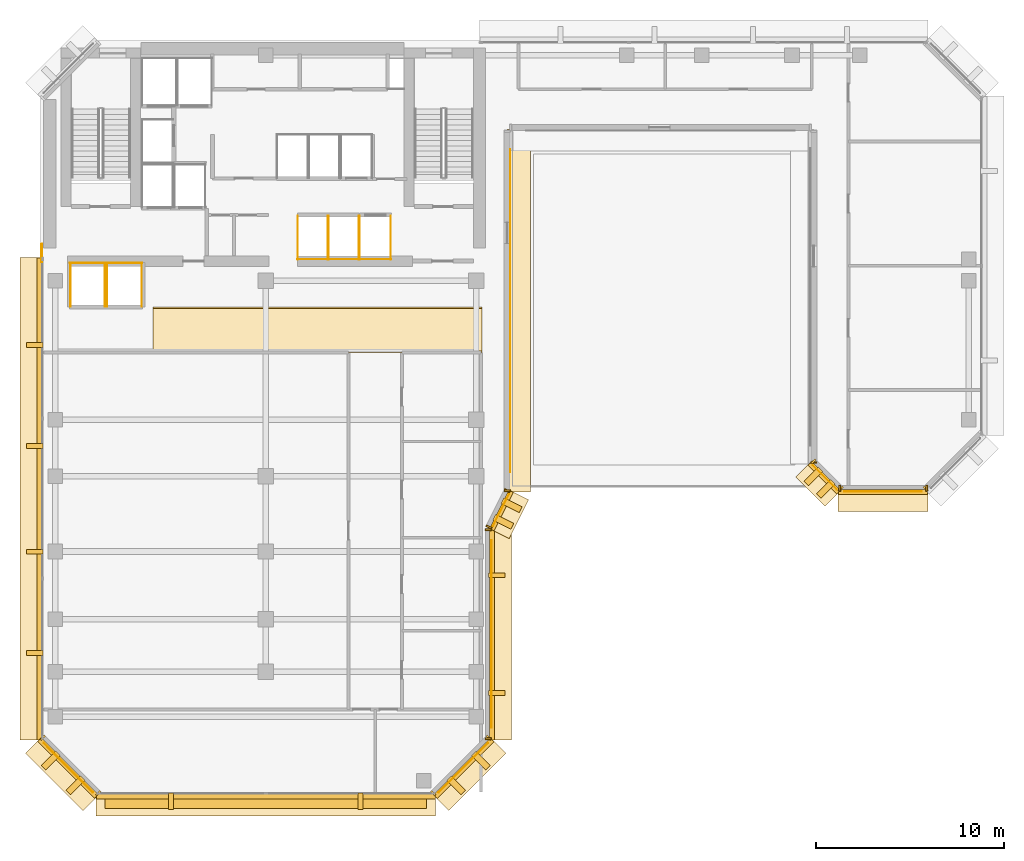
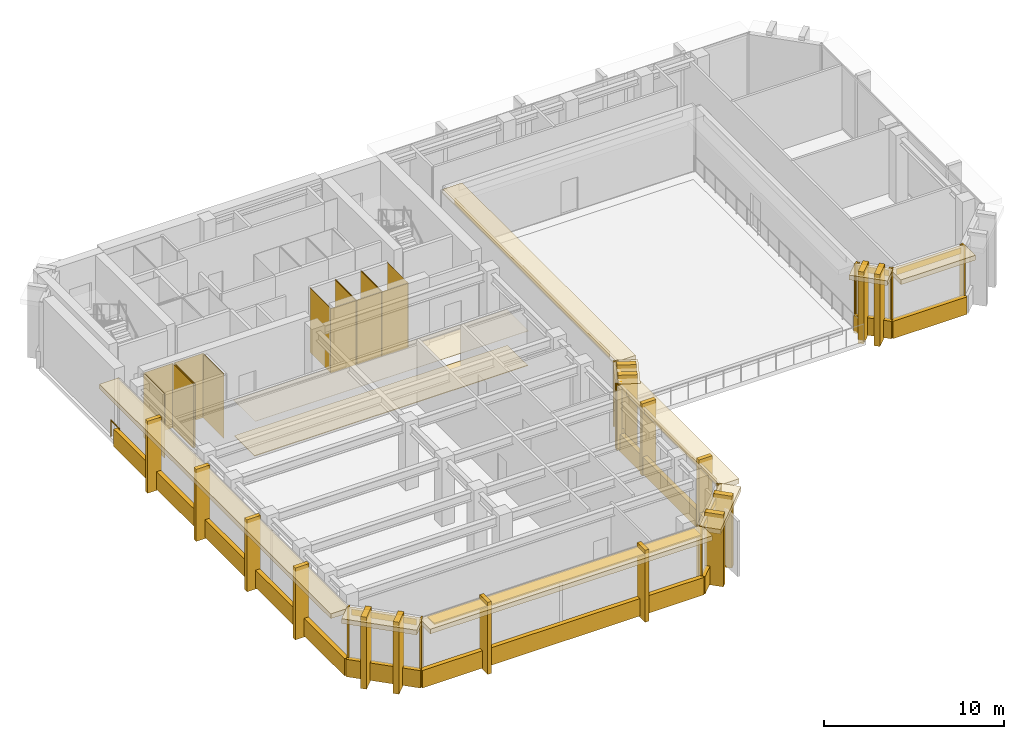
# One storey, part 9 of 12: 72 coverings, 1 railing, 1 shading device.
"""IFC4 building model written with IfcOpenShell, lengths in metres."""

from ifc_helpers import new_model, si_unit, direction, frame, origin, origin_2d, place, context, subcontext, project, spatial, polyline, rectangle, circle, outline, extrude, material, layer, layer_set, type_object, element, save


model = new_model("IFC4")

# Units and contexts
model_context = context("Model", 3, precision=1e-05, world=origin(), true_north=direction((0.0, 1.0)))
body_context = subcontext(model_context, "Body", "Model", "MODEL_VIEW")
ifc_project = project(units=[si_unit("LENGTHUNIT", "METRE"), si_unit("AREAUNIT", "SQUARE_METRE"), si_unit("VOLUMEUNIT", "CUBIC_METRE"), si_unit("PLANEANGLEUNIT", "RADIAN"), si_unit("MASSUNIT", "GRAM", prefix="KILO")], contexts=[model_context])

# Site, building, storey
site_placement = place(None, origin())
site = spatial("IfcSite", under=ifc_project, at=site_placement, CompositionType="ELEMENT")
building_placement = place(site_placement, origin())
building = spatial("IfcBuilding", under=site, at=building_placement, Name="Kefirva Bronze Tower", CompositionType="ELEMENT")
storey_placement = place(building_placement, frame((0.0, 0.0, 215.159912109375)))
storey = spatial("IfcBuildingStorey", under=building, at=storey_placement, Name="L52", CompositionType="ELEMENT", Elevation=215.159912109375)

# Coverings
ifc_material_1 = material(Name="Acoustic mineral tile")
ifc_layer_1 = layer(ifc_material_1, 0.02490234375, Name="Acoustic mineral tile")
ifc_layer_set_1 = layer_set([ifc_layer_1], Name="Acoustic mineral tile")
covering_type_1 = type_object("IfcCoveringType", Name="Acoustic Mineral Suspended Ceiling 25mm", PredefinedType="CEILING", material=ifc_layer_set_1)
covering_1_placement = place(storey_placement, frame((0.0, 0.0, 2.400146484375)))
element("IfcCovering", 1, at=covering_1_placement, inside=storey, type_object=covering_type_1, Name="L52 Corridor Acoustic Ceiling", PredefinedType="CEILING", context=body_context, shape_type="SweptSolid", body=[
    extrude(outline(polyline([(6.0, 29.39990234375), (23.5, 29.39990234375), (23.5, 31.800048828125), (6.0, 31.800048828125), (6.0, 29.39990234375)])), origin(), (0.0, 0.0, 1.0), 0.02490234375),
])
ifc_material_2 = material(Name="Bronze anodised aluminium", Category="aluminium")
ifc_layer_2 = layer(ifc_material_2, 0.02001953125, Name="Bronze anodised aluminium")
ifc_layer_set_2 = layer_set([ifc_layer_2], Name="Bronze anodised aluminium")
covering_type_2 = type_object("IfcCoveringType", Name="Anodised Bronze Spandrel Cladding 20mm", PredefinedType="CLADDING", material=ifc_layer_set_2)
covering_2_placement = place(storey_placement, frame((12.0, 5.760009765625, -0.15966796875), z_axis=(0.0, 0.0, 1.0), x_axis=(1.0, 0.0, 0.0)))
element("IfcCovering", 2, at=covering_2_placement, inside=storey, type_object=covering_type_2, Name="L52 Streamline Horizontal Spandrel Band 0", PredefinedType="CLADDING", context=body_context, shape_type="SweptSolid", body=[
    extrude(rectangle(XDim=18.0400390625, YDim=0.280029296875, at=origin_2d()), origin(), (0.0, 0.0, 1.0), 1.179931640625),
])
covering_3_placement = place(storey_placement, frame((22.507080078125, 7.29296875, 3.9501953125), z_axis=(0.0, 0.0, 1.0), x_axis=(0.707106781187, 0.707106781187, 0.0)))
element("IfcCovering", 3, at=covering_3_placement, inside=storey, type_object=covering_type_2, Name="L52 Bronze Spandrel Cladding 1", PredefinedType="CLADDING", context=body_context, shape_type="SweptSolid", body=[
    extrude(rectangle(XDim=3.719482421875, YDim=0.02001953125, at=origin_2d()), origin(), (0.0, 0.0, 1.0), 0.39990234375),
])
for number, where, z_axis, x_axis, name in (
    (4, (20.91162109375, 5.93798828125, 0.0), (0.0, 0.0, 1.0), (0.707106781187, 0.707106781187, 0.0), "L52 Facade Joint Closure Panel 1S"),
    (5, (23.862060546875, 8.88818359375, 0.0), (0.0, 0.0, 1.0), (0.707106781187, 0.707106781187, 0.0), "L52 Facade Joint Closure Panel 1E"),
):
    element("IfcCovering", number, at=place(storey_placement, frame(where, z_axis=z_axis, x_axis=x_axis)), inside=storey, type_object=covering_type_2, Name=name, PredefinedType="CLADDING", context=body_context, shape_type="SweptSolid", body=[
        extrude(rectangle(XDim=0.10009765625, YDim=0.320068359375, at=origin_2d()), origin(), (0.0, 0.0, 1.0), 4.3701171875),
    ])
covering_4_placement = place(storey_placement, frame((22.5283203125, 7.271728515625, -0.15966796875), z_axis=(0.0, 0.0, 1.0), x_axis=(0.707106781187, 0.707106781187, 0.0)))
element("IfcCovering", 6, at=covering_4_placement, inside=storey, type_object=covering_type_2, Name="L52 Streamline Horizontal Spandrel Band 1", PredefinedType="CLADDING", context=body_context, shape_type="SweptSolid", body=[
    extrude(rectangle(XDim=4.28271484375, YDim=0.280029296875, at=origin_2d()), origin(), (0.0, 0.0, 1.0), 1.179931640625),
])
covering_5_placement = place(storey_placement, frame((24.010009765625, 14.39990234375, 3.9501953125), z_axis=(0.0, 0.0, 1.0), x_axis=(0.0, 1.0, 0.0)))
element("IfcCovering", 7, at=covering_5_placement, inside=storey, type_object=covering_type_2, Name="L52 Bronze Spandrel Cladding 2", PredefinedType="CLADDING", context=body_context, shape_type="SweptSolid", body=[
    extrude(rectangle(XDim=9.98095703125, YDim=0.02001953125, at=origin_2d()), origin(), (0.0, 0.0, 1.0), 0.39990234375),
])
for number, where, z_axis, x_axis, name in (
    (8, (23.840087890625, 8.8349609375, 0.0), (0.0, 0.0, 1.0), (0.0, 1.0, 0.0), "L52 Facade Joint Closure Panel 2S"),
    (9, (23.840087890625, 19.965087890625, 0.0), (0.0, 0.0, 1.0), (0.0, 1.0, 0.0), "L52 Facade Joint Closure Panel 2E"),
):
    element("IfcCovering", number, at=place(storey_placement, frame(where, z_axis=z_axis, x_axis=x_axis)), inside=storey, type_object=covering_type_2, Name=name, PredefinedType="CLADDING", context=body_context, shape_type="SweptSolid", body=[
        extrude(rectangle(XDim=0.10009765625, YDim=0.320068359375, at=origin_2d()), origin(), (0.0, 0.0, 1.0), 4.3701171875),
    ])
covering_6_placement = place(storey_placement, frame((24.0400390625, 14.39990234375, -0.15966796875), z_axis=(0.0, 0.0, 1.0), x_axis=(0.0, 1.0, 0.0)))
element("IfcCovering", 10, at=covering_6_placement, inside=storey, type_object=covering_type_2, Name="L52 Streamline Horizontal Spandrel Band 2", PredefinedType="CLADDING", context=body_context, shape_type="SweptSolid", body=[
    extrude(rectangle(XDim=11.239990234375, YDim=0.280029296875, at=origin_2d()), origin(), (0.0, 0.0, 1.0), 1.179931640625),
])
covering_7_placement = place(storey_placement, frame((24.5087890625, 20.99560546875, 3.9501953125), z_axis=(0.0, 0.0, 1.0), x_axis=(0.44721435766, 0.89442680992, 0.0)))
element("IfcCovering", 11, at=covering_7_placement, inside=storey, type_object=covering_type_2, Name="L52 Bronze Spandrel Cladding 3", PredefinedType="CLADDING", context=body_context, shape_type="SweptSolid", body=[
    extrude(rectangle(XDim=1.91357421875, YDim=0.02001953125, at=origin_2d()), origin(), (0.0, 0.0, 1.0), 0.39990234375),
])
for number, where, z_axis, x_axis, name in (
    (12, (23.87255859375, 20.102783203125, 0.0), (0.0, 0.0, 1.0), (0.44721435766, 0.89442680992, 0.0), "L52 Facade Joint Closure Panel 3S"),
    (13, (24.84130859375, 22.040283203125, 0.0), (0.0, 0.0, 1.0), (0.44721435766, 0.89442680992, 0.0), "L52 Facade Joint Closure Panel 3E"),
):
    element("IfcCovering", number, at=place(storey_placement, frame(where, z_axis=z_axis, x_axis=x_axis)), inside=storey, type_object=covering_type_2, Name=name, PredefinedType="CLADDING", context=body_context, shape_type="SweptSolid", body=[
        extrude(rectangle(XDim=0.10009765625, YDim=0.320068359375, at=origin_2d()), origin(), (0.0, 0.0, 1.0), 4.3701171875),
    ])
covering_8_placement = place(storey_placement, frame((24.535888671875, 20.982177734375, -0.15966796875), z_axis=(0.0, 0.0, 1.0), x_axis=(0.44721435766, 0.89442680992, 0.0)))
element("IfcCovering", 14, at=covering_8_placement, inside=storey, type_object=covering_type_2, Name="L52 Streamline Horizontal Spandrel Band 3", PredefinedType="CLADDING", context=body_context, shape_type="SweptSolid", body=[
    extrude(rectangle(XDim=2.276123046875, YDim=0.280029296875, at=origin_2d()), origin(), (0.0, 0.0, 1.0), 1.179931640625),
])
covering_9_placement = place(storey_placement, frame((25.010009765625, 31.60009765625, 3.9501953125), z_axis=(0.0, 0.0, 1.0), x_axis=(0.0, 1.0, 0.0)))
element("IfcCovering", 15, at=covering_9_placement, inside=storey, type_object=covering_type_2, Name="L52 Bronze Spandrel Cladding 4", PredefinedType="CLADDING", context=body_context, shape_type="SweptSolid", body=[
    extrude(rectangle(XDim=17.180908203125, YDim=0.02001953125, at=origin_2d()), origin(), (0.0, 0.0, 1.0), 0.39990234375),
])
for number, where, z_axis, x_axis, name in (
    (16, (24.840087890625, 22.034912109375, 0.0), (0.0, 0.0, 1.0), (0.0, 1.0, 0.0), "L52 Facade Joint Closure Panel 4S"),
    (17, (41.159912109375, 23.534912109375, 0.0), (0.0, 0.0, 1.0), (0.0, -1.0, 0.0), "L52 Facade Joint Closure Panel 6E"),
):
    element("IfcCovering", number, at=place(storey_placement, frame(where, z_axis=z_axis, x_axis=x_axis)), inside=storey, type_object=covering_type_2, Name=name, PredefinedType="CLADDING", context=body_context, shape_type="SweptSolid", body=[
        extrude(rectangle(XDim=0.10009765625, YDim=0.320068359375, at=origin_2d()), origin(), (0.0, 0.0, 1.0), 4.3701171875),
    ])
covering_10_placement = place(storey_placement, frame((41.742919921875, 22.742919921875, 3.9501953125), z_axis=(0.0, 0.0, 1.0), x_axis=(0.707106781187, -0.707106781187, 0.0)))
element("IfcCovering", 18, at=covering_10_placement, inside=storey, type_object=covering_type_2, Name="L52 Bronze Spandrel Cladding 7", PredefinedType="CLADDING", context=body_context, shape_type="SweptSolid", body=[
    extrude(rectangle(XDim=1.810302734375, YDim=0.02001953125, at=origin_2d()), origin(), (0.0, 0.0, 1.0), 0.39990234375),
])
for number, where, z_axis, x_axis, name in (
    (19, (41.137939453125, 23.58837890625, 0.0), (0.0, 0.0, 1.0), (0.707106781187, -0.707106781187, 0.0), "L52 Facade Joint Closure Panel 7S"),
    (20, (42.58837890625, 22.137939453125, 0.0), (0.0, 0.0, 1.0), (0.707106781187, -0.707106781187, 0.0), "L52 Facade Joint Closure Panel 7E"),
):
    element("IfcCovering", number, at=place(storey_placement, frame(where, z_axis=z_axis, x_axis=x_axis)), inside=storey, type_object=covering_type_2, Name=name, PredefinedType="CLADDING", context=body_context, shape_type="SweptSolid", body=[
        extrude(rectangle(XDim=0.10009765625, YDim=0.320068359375, at=origin_2d()), origin(), (0.0, 0.0, 1.0), 4.3701171875),
    ])
covering_11_placement = place(storey_placement, frame((41.7216796875, 22.7216796875, -0.15966796875), z_axis=(0.0, 0.0, 1.0), x_axis=(0.707106781187, -0.707106781187, 0.0)))
element("IfcCovering", 21, at=covering_11_placement, inside=storey, type_object=covering_type_2, Name="L52 Streamline Horizontal Spandrel Band 8", PredefinedType="CLADDING", context=body_context, shape_type="SweptSolid", body=[
    extrude(rectangle(XDim=2.161376953125, YDim=0.280029296875, at=origin_2d()), origin(), (0.0, 0.0, 1.0), 1.179931640625),
])
covering_12_placement = place(storey_placement, frame((44.85009765625, 21.989990234375, 3.9501953125), z_axis=(0.0, 0.0, 1.0), x_axis=(1.0, 0.0, 0.0)))
element("IfcCovering", 22, at=covering_12_placement, inside=storey, type_object=covering_type_2, Name="L52 Bronze Spandrel Cladding 8", PredefinedType="CLADDING", context=body_context, shape_type="SweptSolid", body=[
    extrude(rectangle(XDim=4.131103515625, YDim=0.02001953125, at=origin_2d()), origin(), (0.0, 0.0, 1.0), 0.39990234375),
])
for number, where, z_axis, x_axis, name in (
    (23, (42.534912109375, 22.159912109375, 0.0), (0.0, 0.0, 1.0), (1.0, 0.0, 0.0), "L52 Facade Joint Closure Panel 8S"),
    (24, (47.1650390625, 22.159912109375, 0.0), (0.0, 0.0, 1.0), (1.0, 0.0, 0.0), "L52 Facade Joint Closure Panel 8E"),
):
    element("IfcCovering", number, at=place(storey_placement, frame(where, z_axis=z_axis, x_axis=x_axis)), inside=storey, type_object=covering_type_2, Name=name, PredefinedType="CLADDING", context=body_context, shape_type="SweptSolid", body=[
        extrude(rectangle(XDim=0.10009765625, YDim=0.320068359375, at=origin_2d()), origin(), (0.0, 0.0, 1.0), 4.3701171875),
    ])
covering_13_placement = place(storey_placement, frame((44.85009765625, 21.9599609375, -0.15966796875), z_axis=(0.0, 0.0, 1.0), x_axis=(1.0, 0.0, 0.0)))
element("IfcCovering", 25, at=covering_13_placement, inside=storey, type_object=covering_type_2, Name="L52 Streamline Horizontal Spandrel Band 9", PredefinedType="CLADDING", context=body_context, shape_type="SweptSolid", body=[
    extrude(rectangle(XDim=4.739990234375, YDim=0.280029296875, at=origin_2d()), origin(), (0.0, 0.0, 1.0), 1.179931640625),
])
covering_14_placement = place(storey_placement, frame((47.11181640625, 22.137939453125, 0.0), z_axis=(0.0, 0.0, 1.0), x_axis=(0.707106781187, 0.707106781187, 0.0)))
element("IfcCovering", 26, at=covering_14_placement, inside=storey, type_object=covering_type_2, Name="L52 Facade Joint Closure Panel 9S", PredefinedType="CLADDING", context=body_context, shape_type="SweptSolid", body=[
    extrude(rectangle(XDim=0.10009765625, YDim=0.320068359375, at=origin_2d()), origin(), (0.0, 0.0, 1.0), 4.3701171875),
])
covering_15_placement = place(storey_placement, frame((-0.0400390625, 21.597412109375, -0.15966796875), z_axis=(0.0, 0.0, 1.0), x_axis=(0.0, -1.0, 0.0)))
element("IfcCovering", 27, at=covering_15_placement, inside=storey, type_object=covering_type_2, Name="L52 Streamline Horizontal Spandrel Band 15", PredefinedType="CLADDING", context=body_context, shape_type="SweptSolid", body=[
    extrude(rectangle(XDim=25.635009765625, YDim=0.280029296875, at=origin_2d()), origin(), (0.0, 0.0, 1.0), 1.179931640625),
])
covering_16_placement = place(storey_placement, frame((1.492919921875, 7.29296875, 3.9501953125), z_axis=(0.0, 0.0, 1.0), x_axis=(0.707106781187, -0.707106781187, 0.0)))
element("IfcCovering", 28, at=covering_16_placement, inside=storey, type_object=covering_type_2, Name="L52 Bronze Spandrel Cladding 12", PredefinedType="CLADDING", context=body_context, shape_type="SweptSolid", body=[
    extrude(rectangle(XDim=3.719482421875, YDim=0.02001953125, at=origin_2d()), origin(), (0.0, 0.0, 1.0), 0.39990234375),
])
for number, where, z_axis, x_axis, name in (
    (29, (0.137939453125, 8.88818359375, 0.0), (0.0, 0.0, 1.0), (0.707106781187, -0.707106781187, 0.0), "L52 Facade Joint Closure Panel 12S"),
    (30, (3.08837890625, 5.93798828125, 0.0), (0.0, 0.0, 1.0), (0.707106781187, -0.707106781187, 0.0), "L52 Facade Joint Closure Panel 12E"),
):
    element("IfcCovering", number, at=place(storey_placement, frame(where, z_axis=z_axis, x_axis=x_axis)), inside=storey, type_object=covering_type_2, Name=name, PredefinedType="CLADDING", context=body_context, shape_type="SweptSolid", body=[
        extrude(rectangle(XDim=0.10009765625, YDim=0.320068359375, at=origin_2d()), origin(), (0.0, 0.0, 1.0), 4.3701171875),
    ])
covering_17_placement = place(storey_placement, frame((1.4716796875, 7.271728515625, -0.15966796875), z_axis=(0.0, 0.0, 1.0), x_axis=(0.707106781187, -0.707106781187, 0.0)))
element("IfcCovering", 31, at=covering_17_placement, inside=storey, type_object=covering_type_2, Name="L52 Streamline Horizontal Spandrel Band 16", PredefinedType="CLADDING", context=body_context, shape_type="SweptSolid", body=[
    extrude(rectangle(XDim=4.28271484375, YDim=0.280029296875, at=origin_2d()), origin(), (0.0, 0.0, 1.0), 1.179931640625),
])
covering_18_placement = place(storey_placement, origin())
element("IfcCovering", 32, at=covering_18_placement, inside=storey, type_object=covering_type_2, Name="L52 Lift OB1 Hoistway Liner N", PredefinedType="CLADDING", context=body_context, shape_type="SweptSolid", body=[
    extrude(outline(polyline([(1.580078125, 34.139892578125), (3.469970703125, 34.139892578125), (3.469970703125, 34.159912109375), (1.580078125, 34.159912109375), (1.580078125, 34.139892578125)])), origin(), (0.0, 0.0, 1.0), 4.3701171875),
])
covering_19_placement = place(storey_placement, origin())
element("IfcCovering", 33, at=covering_19_placement, inside=storey, type_object=covering_type_2, Name="L52 Lift OB1 Hoistway Liner W", PredefinedType="CLADDING", context=body_context, shape_type="SweptSolid", body=[
    extrude(outline(polyline([(1.590087890625, 31.830078125), (1.610107421875, 31.830078125), (1.610107421875, 34.169921875), (1.590087890625, 34.169921875), (1.590087890625, 31.830078125)])), origin(), (0.0, 0.0, 1.0), 4.3701171875),
])
covering_20_placement = place(storey_placement, origin())
element("IfcCovering", 34, at=covering_20_placement, inside=storey, type_object=covering_type_2, Name="L52 Lift OB1 Hoistway Liner E", PredefinedType="CLADDING", context=body_context, shape_type="SweptSolid", body=[
    extrude(outline(polyline([(3.43994140625, 31.830078125), (3.4599609375, 31.830078125), (3.4599609375, 34.169921875), (3.43994140625, 34.169921875), (3.43994140625, 31.830078125)])), origin(), (0.0, 0.0, 1.0), 4.3701171875),
])
covering_21_placement = place(storey_placement, origin())
element("IfcCovering", 35, at=covering_21_placement, inside=storey, type_object=covering_type_2, Name="L52 Lift OB2 Hoistway Liner N", PredefinedType="CLADDING", context=body_context, shape_type="SweptSolid", body=[
    extrude(outline(polyline([(3.530029296875, 34.139892578125), (5.419921875, 34.139892578125), (5.419921875, 34.159912109375), (3.530029296875, 34.159912109375), (3.530029296875, 34.139892578125)])), origin(), (0.0, 0.0, 1.0), 4.3701171875),
])
covering_22_placement = place(storey_placement, origin())
element("IfcCovering", 36, at=covering_22_placement, inside=storey, type_object=covering_type_2, Name="L52 Lift OB2 Hoistway Liner W", PredefinedType="CLADDING", context=body_context, shape_type="SweptSolid", body=[
    extrude(outline(polyline([(3.5400390625, 31.830078125), (3.56005859375, 31.830078125), (3.56005859375, 34.169921875), (3.5400390625, 34.169921875), (3.5400390625, 31.830078125)])), origin(), (0.0, 0.0, 1.0), 4.3701171875),
])
covering_23_placement = place(storey_placement, origin())
element("IfcCovering", 37, at=covering_23_placement, inside=storey, type_object=covering_type_2, Name="L52 Lift OB2 Hoistway Liner E", PredefinedType="CLADDING", context=body_context, shape_type="SweptSolid", body=[
    extrude(outline(polyline([(5.389892578125, 31.830078125), (5.409912109375, 31.830078125), (5.409912109375, 34.169921875), (5.389892578125, 34.169921875), (5.389892578125, 31.830078125)])), origin(), (0.0, 0.0, 1.0), 4.3701171875),
])
covering_24_placement = place(storey_placement, origin())
element("IfcCovering", 38, at=covering_24_placement, inside=storey, type_object=covering_type_2, Name="L52 Lift MP1 Hoistway Liner S", PredefinedType="CLADDING", context=body_context, shape_type="SweptSolid", body=[
    extrude(outline(polyline([(13.679931640625, 34.340087890625), (15.320068359375, 34.340087890625), (15.320068359375, 34.360107421875), (13.679931640625, 34.360107421875), (13.679931640625, 34.340087890625)])), origin(), (0.0, 0.0, 1.0), 4.3701171875),
])
covering_25_placement = place(storey_placement, origin())
element("IfcCovering", 39, at=covering_25_placement, inside=storey, type_object=covering_type_2, Name="L52 Lift MP1 Hoistway Liner W", PredefinedType="CLADDING", context=body_context, shape_type="SweptSolid", body=[
    extrude(outline(polyline([(13.68994140625, 34.330078125), (13.7099609375, 34.330078125), (13.7099609375, 36.669921875), (13.68994140625, 36.669921875), (13.68994140625, 34.330078125)])), origin(), (0.0, 0.0, 1.0), 4.3701171875),
])
covering_26_placement = place(storey_placement, origin())
element("IfcCovering", 40, at=covering_26_placement, inside=storey, type_object=covering_type_2, Name="L52 Lift MP1 Hoistway Liner E", PredefinedType="CLADDING", context=body_context, shape_type="SweptSolid", body=[
    extrude(outline(polyline([(15.2900390625, 34.330078125), (15.31005859375, 34.330078125), (15.31005859375, 36.669921875), (15.2900390625, 36.669921875), (15.2900390625, 34.330078125)])), origin(), (0.0, 0.0, 1.0), 4.3701171875),
])
covering_27_placement = place(storey_placement, origin())
element("IfcCovering", 41, at=covering_27_placement, inside=storey, type_object=covering_type_2, Name="L52 Lift MP2 Hoistway Liner S", PredefinedType="CLADDING", context=body_context, shape_type="SweptSolid", body=[
    extrude(outline(polyline([(15.330078125, 34.340087890625), (16.969970703125, 34.340087890625), (16.969970703125, 34.360107421875), (15.330078125, 34.360107421875), (15.330078125, 34.340087890625)])), origin(), (0.0, 0.0, 1.0), 4.3701171875),
])
covering_28_placement = place(storey_placement, origin())
element("IfcCovering", 42, at=covering_28_placement, inside=storey, type_object=covering_type_2, Name="L52 Lift MP2 Hoistway Liner W", PredefinedType="CLADDING", context=body_context, shape_type="SweptSolid", body=[
    extrude(outline(polyline([(15.340087890625, 34.330078125), (15.360107421875, 34.330078125), (15.360107421875, 36.669921875), (15.340087890625, 36.669921875), (15.340087890625, 34.330078125)])), origin(), (0.0, 0.0, 1.0), 4.3701171875),
])
covering_29_placement = place(storey_placement, origin())
element("IfcCovering", 43, at=covering_29_placement, inside=storey, type_object=covering_type_2, Name="L52 Lift MP2 Hoistway Liner E", PredefinedType="CLADDING", context=body_context, shape_type="SweptSolid", body=[
    extrude(outline(polyline([(16.93994140625, 34.330078125), (16.9599609375, 34.330078125), (16.9599609375, 36.669921875), (16.93994140625, 36.669921875), (16.93994140625, 34.330078125)])), origin(), (0.0, 0.0, 1.0), 4.3701171875),
])
covering_30_placement = place(storey_placement, origin())
element("IfcCovering", 44, at=covering_30_placement, inside=storey, type_object=covering_type_2, Name="L52 Lift HP1 Hoistway Liner S", PredefinedType="CLADDING", context=body_context, shape_type="SweptSolid", body=[
    extrude(outline(polyline([(16.97998046875, 34.340087890625), (18.669921875, 34.340087890625), (18.669921875, 34.360107421875), (16.97998046875, 34.360107421875), (16.97998046875, 34.340087890625)])), origin(), (0.0, 0.0, 1.0), 4.3701171875),
])
covering_31_placement = place(storey_placement, origin())
element("IfcCovering", 45, at=covering_31_placement, inside=storey, type_object=covering_type_2, Name="L52 Lift HP1 Hoistway Liner W", PredefinedType="CLADDING", context=body_context, shape_type="SweptSolid", body=[
    extrude(outline(polyline([(16.989990234375, 34.330078125), (17.010009765625, 34.330078125), (17.010009765625, 36.669921875), (16.989990234375, 36.669921875), (16.989990234375, 34.330078125)])), origin(), (0.0, 0.0, 1.0), 4.3701171875),
])
covering_32_placement = place(storey_placement, origin())
element("IfcCovering", 46, at=covering_32_placement, inside=storey, type_object=covering_type_2, Name="L52 Lift HP1 Hoistway Liner E", PredefinedType="CLADDING", context=body_context, shape_type="SweptSolid", body=[
    extrude(outline(polyline([(18.639892578125, 34.330078125), (18.659912109375, 34.330078125), (18.659912109375, 36.669921875), (18.639892578125, 36.669921875), (18.639892578125, 34.330078125)])), origin(), (0.0, 0.0, 1.0), 4.3701171875),
])

# Shading device
ifc_layer_3 = layer(ifc_material_2, 0.090087890625, Name="Bronze anodised aluminium")
ifc_layer_set_3 = layer_set([ifc_layer_3], Name="Bronze anodised aluminium")
shading_device_type = type_object("IfcShadingDeviceType", Name="Horizontal Bronze Sunshade Band 750mm", PredefinedType="JALOUSIE", material=ifc_layer_set_3)
shading_device_placement = place(storey_placement, frame((12.0, 5.5048828125, 4.26513671875), z_axis=(0.0, 0.0, 1.0), x_axis=(1.0, 0.0, 0.0)))
element("IfcShadingDevice", 47, at=shading_device_placement, inside=storey, type_object=shading_device_type, Name="L52 Horizontal Bronze Sunshade Band 0", PredefinedType="JALOUSIE", context=body_context, shape_type="SweptSolid", body=[
    extrude(rectangle(XDim=17.090087890625, YDim=0.75, at=origin_2d()), origin(), (0.0, 0.0, 1.0), 0.090087890625),
])

# Railing
ifc_material_3 = material(Name="Stainless steel 316", Category="steel")
railing_type = type_object("IfcRailingType", Name="Interior Stair Guardrail 1100mm", PredefinedType="GUARDRAIL", material=ifc_material_3)
railing_placement = place(storey_placement, frame((0.080078125, 34.199951171875, 0.0)))
element("IfcRailing", 48, at=railing_placement, inside=storey, type_object=railing_type, Name="L52 West Core Junction Guardrail", PredefinedType="GUARDRAIL", context=body_context, shape_type="SweptSolid", body=[
    extrude(circle(Radius=0.02392578125, at=origin_2d()), frame((0.0, 0.0, 1.076171875), z_axis=(0.0, 1.0, 0.0), x_axis=(-1.0, 0.0, 0.0)), (0.0, 0.0, 1.0), 0.949951171875),
    extrude(circle(Radius=0.02099609375, at=origin_2d()), origin(), (0.0, 0.0, 1.0), 1.052001953125),
    extrude(circle(Radius=0.02099609375, at=origin_2d()), frame((0.0, 0.949951171875, 0.0)), (0.0, 0.0, 1.0), 1.052001953125),
])

# Coverings
ifc_material_4 = material(Name="Calcium sulphate access tile")
ifc_layer_4 = layer(ifc_material_4, 0.044921875, Name="Calcium sulphate access tile")
ifc_layer_set_4 = layer_set([ifc_layer_4], Name="Calcium sulphate access tile")
covering_type_3 = type_object("IfcCoveringType", Name="Raised Access Office Flooring 45mm", PredefinedType="FLOORING", material=ifc_layer_set_4)
covering_33_placement = place(storey_placement, origin())
element("IfcCovering", 49, at=covering_33_placement, inside=storey, type_object=covering_type_3, Name="L52 Architectural Finish Flooring", PredefinedType="FLOORING", context=body_context, shape_type="SweptSolid", body=[
    extrude(outline(polyline([(6.0, 29.47998046875), (23.5, 29.47998046875), (23.5, 31.719970703125), (6.0, 31.719970703125), (6.0, 29.47998046875)])), origin(), (0.0, 0.0, 1.0), 0.045166015625),
])
ifc_layer_5 = layer(ifc_material_2, 0.179931640625, Name="Bronze anodised aluminium")
ifc_layer_set_5 = layer_set([ifc_layer_5], Name="Bronze anodised aluminium")
covering_type_4 = type_object("IfcCoveringType", Name="Streamline Bronze Sunshade Eyebrow Cladding 180mm", PredefinedType="CLADDING", material=ifc_layer_set_5)
covering_34_placement = place(storey_placement, frame((12.0, 5.340087890625, 4.05029296875), z_axis=(0.0, 0.0, 1.0), x_axis=(1.0, 0.0, 0.0)))
element("IfcCovering", 50, at=covering_34_placement, inside=storey, type_object=covering_type_4, Name="L52 Streamline Bronze Sunshade Eyebrow 0", PredefinedType="CLADDING", context=body_context, shape_type="SweptSolid", body=[
    extrude(rectangle(XDim=18.080078125, YDim=1.239990234375, at=origin_2d()), origin(), (0.0, 0.0, 1.0), 0.320068359375),
])
covering_35_placement = place(storey_placement, frame((22.8251953125, 6.974609375, 4.05029296875), z_axis=(0.0, 0.0, 1.0), x_axis=(0.707106781187, 0.707106781187, 0.0)))
element("IfcCovering", 51, at=covering_35_placement, inside=storey, type_object=covering_type_4, Name="L52 Streamline Bronze Sunshade Eyebrow 1", PredefinedType="CLADDING", context=body_context, shape_type="SweptSolid", body=[
    extrude(rectangle(XDim=4.322509765625, YDim=1.239990234375, at=origin_2d()), origin(), (0.0, 0.0, 1.0), 0.320068359375),
])
covering_36_placement = place(storey_placement, frame((24.4599609375, 14.39990234375, 4.05029296875), z_axis=(0.0, 0.0, 1.0), x_axis=(0.0, 1.0, 0.0)))
element("IfcCovering", 52, at=covering_36_placement, inside=storey, type_object=covering_type_4, Name="L52 Streamline Bronze Sunshade Eyebrow 2", PredefinedType="CLADDING", context=body_context, shape_type="SweptSolid", body=[
    extrude(rectangle(XDim=11.280029296875, YDim=1.239990234375, at=origin_2d()), origin(), (0.0, 0.0, 1.0), 0.320068359375),
])
covering_37_placement = place(storey_placement, frame((24.911376953125, 20.794189453125, 4.05029296875), z_axis=(0.0, 0.0, 1.0), x_axis=(0.44721435766, 0.89442680992, 0.0)))
element("IfcCovering", 53, at=covering_37_placement, inside=storey, type_object=covering_type_4, Name="L52 Streamline Bronze Sunshade Eyebrow 3", PredefinedType="CLADDING", context=body_context, shape_type="SweptSolid", body=[
    extrude(rectangle(XDim=2.316162109375, YDim=1.239990234375, at=origin_2d()), origin(), (0.0, 0.0, 1.0), 0.320068359375),
])
covering_38_placement = place(storey_placement, frame((25.4599609375, 31.60009765625, 4.05029296875), z_axis=(0.0, 0.0, 1.0), x_axis=(0.0, 1.0, 0.0)))
element("IfcCovering", 54, at=covering_38_placement, inside=storey, type_object=covering_type_4, Name="L52 Streamline Bronze Sunshade Eyebrow 5", PredefinedType="CLADDING", context=body_context, shape_type="SweptSolid", body=[
    extrude(rectangle(XDim=19.280029296875, YDim=1.239990234375, at=origin_2d()), origin(), (0.0, 0.0, 1.0), 0.320068359375),
])
covering_39_placement = place(storey_placement, frame((41.4248046875, 22.4248046875, 4.05029296875), z_axis=(0.0, 0.0, 1.0), x_axis=(0.707106781187, -0.707106781187, 0.0)))
element("IfcCovering", 55, at=covering_39_placement, inside=storey, type_object=covering_type_4, Name="L52 Streamline Bronze Sunshade Eyebrow 8", PredefinedType="CLADDING", context=body_context, shape_type="SweptSolid", body=[
    extrude(rectangle(XDim=2.201416015625, YDim=1.239990234375, at=origin_2d()), origin(), (0.0, 0.0, 1.0), 0.320068359375),
])
covering_40_placement = place(storey_placement, frame((44.85009765625, 21.5400390625, 4.05029296875), z_axis=(0.0, 0.0, 1.0), x_axis=(1.0, 0.0, 0.0)))
element("IfcCovering", 56, at=covering_40_placement, inside=storey, type_object=covering_type_4, Name="L52 Streamline Bronze Sunshade Eyebrow 9", PredefinedType="CLADDING", context=body_context, shape_type="SweptSolid", body=[
    extrude(rectangle(XDim=4.780029296875, YDim=1.239990234375, at=origin_2d()), origin(), (0.0, 0.0, 1.0), 0.320068359375),
])
covering_41_placement = place(storey_placement, frame((-0.4599609375, 21.597412109375, 4.05029296875), z_axis=(0.0, 0.0, 1.0), x_axis=(0.0, -1.0, 0.0)))
element("IfcCovering", 57, at=covering_41_placement, inside=storey, type_object=covering_type_4, Name="L52 Streamline Bronze Sunshade Eyebrow 15", PredefinedType="CLADDING", context=body_context, shape_type="SweptSolid", body=[
    extrude(rectangle(XDim=25.675048828125, YDim=1.239990234375, at=origin_2d()), origin(), (0.0, 0.0, 1.0), 0.320068359375),
])
covering_42_placement = place(storey_placement, frame((1.1748046875, 6.974609375, 4.05029296875), z_axis=(0.0, 0.0, 1.0), x_axis=(0.707106781187, -0.707106781187, 0.0)))
element("IfcCovering", 58, at=covering_42_placement, inside=storey, type_object=covering_type_4, Name="L52 Streamline Bronze Sunshade Eyebrow 16", PredefinedType="CLADDING", context=body_context, shape_type="SweptSolid", body=[
    extrude(rectangle(XDim=4.322509765625, YDim=1.239990234375, at=origin_2d()), origin(), (0.0, 0.0, 1.0), 0.320068359375),
])
ifc_layer_6 = layer(ifc_material_2, 0.260009765625, Name="Bronze anodised aluminium")
ifc_layer_set_6 = layer_set([ifc_layer_6], Name="Bronze anodised aluminium")
covering_type_5 = type_object("IfcCoveringType", Name="Unbroken Bronze Buttress Fin Cladding 260mm", PredefinedType="CLADDING", material=ifc_layer_set_6)
for number, where, z_axis, x_axis, name in (
    (59, (6.9599609375, 5.5, -0.25), (0.0, 0.0, 1.0), (1.0, 0.0, 0.0), "L52 Unbroken Vertical Bronze Rib Fin 1"),
    (60, (17.0400390625, 5.5, -0.25), (0.0, 0.0, 1.0), (1.0, 0.0, 0.0), "L52 Unbroken Vertical Bronze Rib Fin 2"),
):
    element("IfcCovering", number, at=place(storey_placement, frame(where, z_axis=z_axis, x_axis=x_axis)), inside=storey, type_object=covering_type_5, Name=name, PredefinedType="CLADDING", context=body_context, shape_type="SweptSolid", body=[
        extrude(rectangle(XDim=0.260009765625, YDim=0.8798828125, at=origin_2d()), origin(), (0.0, 0.0, 1.0), 4.8701171875),
    ])
for number, where, z_axis, x_axis, name in (
    (61, (22.122802734375, 6.357177734375, -0.25), (0.0, 0.0, 1.0), (0.707106781187, 0.707106781187, 0.0), "L52 Chamfered Corner Buttress Fin Cladding 3"),
    (62, (23.44287109375, 7.67724609375, -0.25), (0.0, 0.0, 1.0), (0.707106781187, 0.707106781187, 0.0), "L52 Chamfered Corner Buttress Fin Cladding 4"),
):
    element("IfcCovering", number, at=place(storey_placement, frame(where, z_axis=z_axis, x_axis=x_axis)), inside=storey, type_object=covering_type_5, Name=name, PredefinedType="CLADDING", context=body_context, shape_type="SweptSolid", body=[
        extrude(rectangle(XDim=0.340087890625, YDim=1.080078125, at=origin_2d()), origin(), (0.0, 0.0, 1.0), 4.8701171875),
    ])
for number, where, z_axis, x_axis, name in (
    (63, (24.300048828125, 11.263916015625, -0.25), (0.0, 0.0, 1.0), (0.0, 1.0, 0.0), "L52 Unbroken Vertical Bronze Rib Fin 5"),
    (64, (24.300048828125, 17.535888671875, -0.25), (0.0, 0.0, 1.0), (0.0, 1.0, 0.0), "L52 Unbroken Vertical Bronze Rib Fin 6"),
):
    element("IfcCovering", number, at=place(storey_placement, frame(where, z_axis=z_axis, x_axis=x_axis)), inside=storey, type_object=covering_type_5, Name=name, PredefinedType="CLADDING", context=body_context, shape_type="SweptSolid", body=[
        extrude(rectangle(XDim=0.260009765625, YDim=0.8798828125, at=origin_2d()), origin(), (0.0, 0.0, 1.0), 4.8701171875),
    ])
for number, where, z_axis, x_axis, name in (
    (65, (24.6376953125, 20.381103515625, -0.25), (0.0, 0.0, 1.0), (0.44721435766, 0.89442680992, 0.0), "L52 Chamfered Corner Buttress Fin Cladding 7"),
    (66, (25.077880859375, 21.260986328125, -0.25), (0.0, 0.0, 1.0), (0.44721435766, 0.89442680992, 0.0), "L52 Chamfered Corner Buttress Fin Cladding 8"),
    (67, (41.13720703125, 22.797119140625, -0.25), (0.0, 0.0, 1.0), (0.707106781187, -0.707106781187, 0.0), "L52 Chamfered Corner Buttress Fin Cladding 9"),
    (68, (41.797119140625, 22.13720703125, -0.25), (0.0, 0.0, 1.0), (0.707106781187, -0.707106781187, 0.0), "L52 Chamfered Corner Buttress Fin Cladding 10"),
):
    element("IfcCovering", number, at=place(storey_placement, frame(where, z_axis=z_axis, x_axis=x_axis)), inside=storey, type_object=covering_type_5, Name=name, PredefinedType="CLADDING", context=body_context, shape_type="SweptSolid", body=[
        extrude(rectangle(XDim=0.340087890625, YDim=1.080078125, at=origin_2d()), origin(), (0.0, 0.0, 1.0), 4.8701171875),
    ])
for number, where, z_axis, x_axis, name in (
    (69, (-0.300048828125, 29.787841796875, -0.25), (0.0, 0.0, 1.0), (0.0, -1.0, 0.0), "L52 Unbroken Vertical Bronze Rib Fin 23"),
    (70, (-0.300048828125, 24.4130859375, -0.25), (0.0, 0.0, 1.0), (0.0, -1.0, 0.0), "L52 Unbroken Vertical Bronze Rib Fin 24"),
    (71, (-0.300048828125, 18.781982421875, -0.25), (0.0, 0.0, 1.0), (0.0, -1.0, 0.0), "L52 Unbroken Vertical Bronze Rib Fin 25"),
    (72, (-0.300048828125, 13.406982421875, -0.25), (0.0, 0.0, 1.0), (0.0, -1.0, 0.0), "L52 Unbroken Vertical Bronze Rib Fin 26"),
):
    element("IfcCovering", number, at=place(storey_placement, frame(where, z_axis=z_axis, x_axis=x_axis)), inside=storey, type_object=covering_type_5, Name=name, PredefinedType="CLADDING", context=body_context, shape_type="SweptSolid", body=[
        extrude(rectangle(XDim=0.260009765625, YDim=0.8798828125, at=origin_2d()), origin(), (0.0, 0.0, 1.0), 4.8701171875),
    ])
for number, where, z_axis, x_axis, name in (
    (73, (0.55712890625, 7.67724609375, -0.25), (0.0, 0.0, 1.0), (0.707106781187, -0.707106781187, 0.0), "L52 Chamfered Corner Buttress Fin Cladding 27"),
    (74, (1.877197265625, 6.357177734375, -0.25), (0.0, 0.0, 1.0), (0.707106781187, -0.707106781187, 0.0), "L52 Chamfered Corner Buttress Fin Cladding 28"),
):
    element("IfcCovering", number, at=place(storey_placement, frame(where, z_axis=z_axis, x_axis=x_axis)), inside=storey, type_object=covering_type_5, Name=name, PredefinedType="CLADDING", context=body_context, shape_type="SweptSolid", body=[
        extrude(rectangle(XDim=0.340087890625, YDim=1.080078125, at=origin_2d()), origin(), (0.0, 0.0, 1.0), 4.8701171875),
    ])

save(model, "model.ifc")
